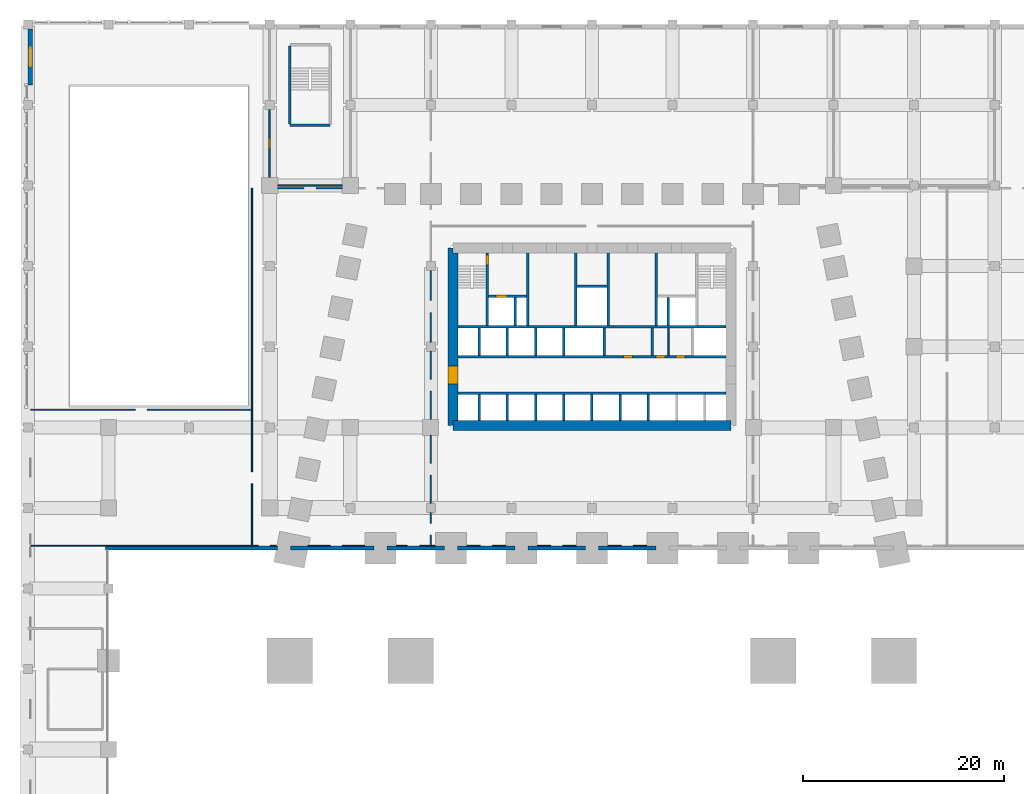
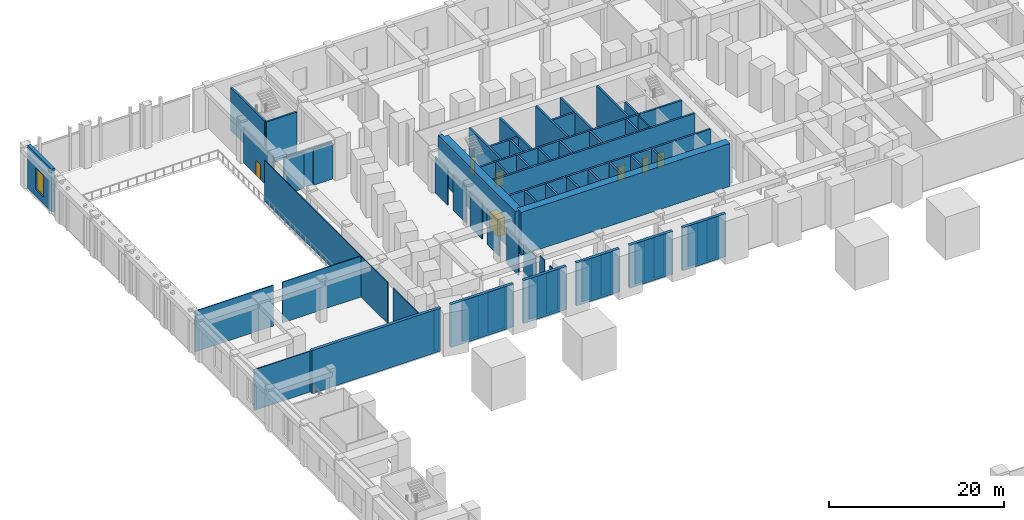
# One storey, part 10 of 25: 65 walls, 7 doors, 1 window, 8 openings.
"""IFC4 building model written with IfcOpenShell, lengths in metres."""

from ifc_helpers import new_model, si_unit, direction, frame, frame_2d, origin, place, context, subcontext, project, spatial, polyline, rectangle, outline, extrude, material, layer, layer_set, type_object, element, fill, save


model = new_model("IFC4")

# Units and contexts
model_context = context("Model", 3, precision=1e-05, world=origin(), true_north=direction((0.0, 1.0)))
body_context = subcontext(model_context, "Body", "Model", "MODEL_VIEW")
ifc_project = project(units=[si_unit("LENGTHUNIT", "METRE"), si_unit("AREAUNIT", "SQUARE_METRE"), si_unit("VOLUMEUNIT", "CUBIC_METRE"), si_unit("PLANEANGLEUNIT", "RADIAN"), si_unit("MASSUNIT", "GRAM", prefix="KILO")], contexts=[model_context])

# Site, building, storey
site_placement = place(None, origin())
site = spatial("IfcSite", under=ifc_project, at=site_placement, CompositionType="ELEMENT")
building_placement = place(site_placement, origin())
building = spatial("IfcBuilding", under=site, at=building_placement, Name="Isbrekke Arena Tower", CompositionType="ELEMENT")
storey_placement = place(building_placement, frame((0.0, 0.0, 6.0)))
storey = spatial("IfcBuildingStorey", under=building, at=storey_placement, Name="L01", CompositionType="ELEMENT", Elevation=6.0)

# Walls
ifc_material_1 = material(Name="Concrete B45 (C45/55)", Category="concrete")
ifc_layer_1 = layer(ifc_material_1, 0.39990234375)
ifc_layer_set_1 = layer_set([ifc_layer_1], Name="AW1 ARENA WALL 400")
wall_type_1 = type_object("IfcWallType", Name="AW1 ARENA WALL 400", PredefinedType="SHEAR", material=ifc_layer_set_1)
wall_1_placement = place(storey_placement, frame((-48.300048828125, -6.0, 0.0), z_axis=(0.0, 0.0, 1.0), x_axis=(1.0, 0.0, 0.0)))
element("IfcWall", 1, at=wall_1_placement, inside=storey, type_object=wall_type_1, Name="Arena north wall 1", PredefinedType="SHEAR", context=body_context, shape_type="SweptSolid", body=[
    extrude(rectangle(XDim=17.050048828125, YDim=0.39990234375, at=frame_2d((8.52490234375, 0.0))), origin(), (0.0, 0.0, 1.0), 6.0),
])
wall_2_placement = place(storey_placement, frame((-29.949951171875, -6.0, 0.0), z_axis=(0.0, 0.0, 1.0), x_axis=(1.0, 0.0, 0.0)))
element("IfcWall", 2, at=wall_2_placement, inside=storey, type_object=wall_type_1, Name="Arena north wall 2", PredefinedType="SHEAR", context=body_context, shape_type="SweptSolid", body=[
    extrude(rectangle(XDim=8.300048828125, YDim=0.39990234375, at=frame_2d((4.14990234375, 0.0))), origin(), (0.0, 0.0, 1.0), 6.0),
])
for number, where, z_axis, x_axis, name in (
    (3, (-20.35009765625, -6.0, 0.0), (0.0, 0.0, 1.0), (1.0, 0.0, 0.0), "Arena north wall 3"),
    (4, (-13.35009765625, -6.0, 0.0), (0.0, 0.0, 1.0), (1.0, 0.0, 0.0), "Arena north wall 4"),
    (5, (-6.35009765625, -6.0, 0.0), (0.0, 0.0, 1.0), (1.0, 0.0, 0.0), "Arena north wall 5"),
    (6, (0.64990234375, -6.0, 0.0), (0.0, 0.0, 1.0), (1.0, 0.0, 0.0), "Arena north wall 6"),
):
    element("IfcWall", number, at=place(storey_placement, frame(where, z_axis=z_axis, x_axis=x_axis)), inside=storey, type_object=wall_type_1, Name=name, PredefinedType="SHEAR", context=body_context, shape_type="SweptSolid", body=[
        extrude(rectangle(XDim=5.7001953125, YDim=0.39990234375, at=frame_2d((2.85009765625, 0.0))), origin(), (0.0, 0.0, 1.0), 6.0),
    ])
ifc_material_2 = material(Name="Concrete B65 (C65/80)", Category="concrete")
ifc_layer_2 = layer(ifc_material_2, 1.0)
ifc_layer_set_2 = layer_set([ifc_layer_2], Name="CW1 CORE WALL 1000")
wall_type_2 = type_object("IfcWallType", Name="CW1 CORE WALL 1000", PredefinedType="SHEAR", material=ifc_layer_set_2)
wall_3_placement = place(storey_placement, frame((-13.800048828125, 6.199951171875, 0.0), z_axis=(0.0, 0.0, 1.0), x_axis=(1.0, 0.0, 0.0)))
element("IfcWall", 7, at=wall_3_placement, inside=storey, type_object=wall_type_2, Name="Core wall S L01", PredefinedType="SHEAR", context=body_context, shape_type="SweptSolid", body=[
    extrude(rectangle(XDim=27.60009765625, YDim=1.0, at=frame_2d((13.800048828125, 0.0))), origin(), (0.0, 0.0, 1.0), 6.0),
])

# Wall, opening, door
wall_4_placement = place(storey_placement, frame((-13.800048828125, 23.800048828125, 0.0), z_axis=(0.0, 0.0, 1.0), x_axis=(0.0, -1.0, 0.0)))
wall_4 = element("IfcWall", 8, at=wall_4_placement, inside=storey, type_object=wall_type_2, Name="Core wall W L01", PredefinedType="SHEAR", context=body_context, shape_type="SweptSolid", body=[
    extrude(outline(polyline([(0.0, -0.5), (17.60009765625, -0.5), (17.60009765625, 0.0), (17.10009765625, 0.0), (17.10009765625, 0.5), (0.5, 0.5), (0.5, 0.0), (0.0, 0.0), (0.0, -0.5)])), origin(), (0.0, 0.0, 1.0), 6.0),
])
opening_1_placement = place(wall_4_placement, frame((11.699951171875, 0.0, 0.0)))
opening_1 = element("IfcOpeningElement", 9, at=opening_1_placement, cuts=wall_4, Name="Opening D1", PredefinedType="OPENING", context=body_context, shape_type="SweptSolid", body=[
    extrude(rectangle(XDim=1.800048828125, YDim=2.39990234375, at=frame_2d((0.89990234375, 1.199951171875))), frame((0.0, 0.514892578125, 0.0), z_axis=(0.0, -1.0, 0.0), x_axis=(1.0, 0.0, 0.0)), (0.0, 0.0, 1.0), 1.02978515625),
])
ifc_material_3 = material(Name="Steel-framed glazed fire door", Category="steel")
door_type_1 = type_object("IfcDoorType", Name="D1 CORE LOBBY DOOR 1800 x 2400", OperationType="DOUBLE_DOOR_SINGLE_SWING", PredefinedType="DOOR", material=ifc_material_3)
door_1_placement = place(opening_1_placement, origin())
door_1 = element("IfcDoor", 10, at=door_1_placement, inside=storey, type_object=door_type_1, Name="D1 lift lobby door west L01", OperationType="DOUBLE_DOOR_SINGLE_SWING", OverallHeight=2.39990234375, OverallWidth=1.800048828125, PredefinedType="DOOR", context=body_context, shape_type="SweptSolid", body=[
    extrude(rectangle(XDim=1.800048828125, YDim=2.39990234375, at=frame_2d((0.89990234375, 1.199951171875))), frame((0.0, 0.499755859375, 0.0), z_axis=(0.0, -1.0, 0.0), x_axis=(1.0, 0.0, 0.0)), (0.0, 0.0, 1.0), 0.99951171875),
])
fill(opening_1, door_1)

# Wall
ifc_material_4 = material(Name="Concrete B45 (C45/55)", Category="concrete")
ifc_layer_3 = layer(ifc_material_4, 0.25)
ifc_layer_set_3 = layer_set([ifc_layer_3], Name="CW6 SHAFT WALL 250")
wall_type_3 = type_object("IfcWallType", Name="CW6 SHAFT WALL 250", PredefinedType="SHEAR", material=ifc_layer_set_3)
wall_5_placement = place(storey_placement, frame((-13.300048828125, 9.39990234375, 0.0), z_axis=(0.0, 0.0, 1.0), x_axis=(1.0, 0.0, 0.0)))
element("IfcWall", 11, at=wall_5_placement, inside=storey, type_object=wall_type_3, Name="Core wall LS L01", PredefinedType="SHEAR", context=body_context, shape_type="SweptSolid", body=[
    extrude(rectangle(XDim=26.60009765625, YDim=0.25, at=frame_2d((13.300048828125, 0.0))), origin(), (0.0, 0.0, 1.0), 6.0),
])

# Wall, openings, doors
wall_6_placement = place(storey_placement, frame((-13.300048828125, 13.0, 0.0), z_axis=(0.0, 0.0, 1.0), x_axis=(1.0, 0.0, 0.0)))
wall_6 = element("IfcWall", 12, at=wall_6_placement, inside=storey, type_object=wall_type_3, Name="Core wall LN L01", PredefinedType="SHEAR", context=body_context, shape_type="SweptSolid", body=[
    extrude(rectangle(XDim=26.60009765625, YDim=0.25, at=frame_2d((13.300048828125, 0.0))), origin(), (0.0, 0.0, 1.0), 6.0),
])
opening_2_placement = place(wall_6_placement, frame((16.449951171875, 0.0, 0.0)))
opening_2 = element("IfcOpeningElement", 13, at=opening_2_placement, cuts=wall_6, Name="Opening D5", PredefinedType="OPENING", context=body_context, shape_type="SweptSolid", body=[
    extrude(rectangle(XDim=0.89990234375, YDim=2.10009765625, at=frame_2d((0.449951171875, 1.050048828125))), frame((0.0, 0.139892578125, 0.0), z_axis=(0.0, -1.0, 0.0), x_axis=(1.0, 0.0, 0.0)), (0.0, 0.0, 1.0), 0.27978515625),
])
opening_3_placement = place(wall_6_placement, frame((19.64990234375, 0.0, 0.0)))
opening_3 = element("IfcOpeningElement", 14, at=opening_3_placement, cuts=wall_6, Name="Opening D5", PredefinedType="OPENING", context=body_context, shape_type="SweptSolid", body=[
    extrude(rectangle(XDim=0.89990234375, YDim=2.10009765625, at=frame_2d((0.449951171875, 1.050048828125))), frame((0.0, 0.139892578125, 0.0), z_axis=(0.0, -1.0, 0.0), x_axis=(1.0, 0.0, 0.0)), (0.0, 0.0, 1.0), 0.27978515625),
])
opening_4_placement = place(wall_6_placement, frame((21.64990234375, 0.0, 0.0)))
opening_4 = element("IfcOpeningElement", 15, at=opening_4_placement, cuts=wall_6, Name="Opening D5", PredefinedType="OPENING", context=body_context, shape_type="SweptSolid", body=[
    extrude(rectangle(XDim=0.89990234375, YDim=2.10009765625, at=frame_2d((0.449951171875, 1.050048828125))), frame((0.0, 0.139892578125, 0.0), z_axis=(0.0, -1.0, 0.0), x_axis=(1.0, 0.0, 0.0)), (0.0, 0.0, 1.0), 0.27978515625),
])
ifc_material_5 = material(Name="Steel fire door", Category="steel")
door_type_2 = type_object("IfcDoorType", Name="D5 SERVICE DOOR 900 x 2100", OperationType="SINGLE_SWING_LEFT", PredefinedType="DOOR", material=ifc_material_5)
door_2_placement = place(opening_2_placement, origin())
door_2 = element("IfcDoor", 16, at=door_2_placement, inside=storey, type_object=door_type_2, Name="D5 store door L01", OperationType="SINGLE_SWING_LEFT", OverallHeight=2.10009765625, OverallWidth=0.89990234375, PredefinedType="DOOR", context=body_context, shape_type="SweptSolid", body=[
    extrude(rectangle(XDim=0.89990234375, YDim=2.10009765625, at=frame_2d((0.449951171875, 1.050048828125))), frame((0.0, 0.124755859375, 0.0), z_axis=(0.0, -1.0, 0.0), x_axis=(1.0, 0.0, 0.0)), (0.0, 0.0, 1.0), 0.24951171875),
])
fill(opening_2, door_2)
door_3_placement = place(opening_3_placement, origin())
door_3 = element("IfcDoor", 17, at=door_3_placement, inside=storey, type_object=door_type_2, Name="D5 cleaner's store door L01", OperationType="SINGLE_SWING_LEFT", OverallHeight=2.10009765625, OverallWidth=0.89990234375, PredefinedType="DOOR", context=body_context, shape_type="SweptSolid", body=[
    extrude(rectangle(XDim=0.89990234375, YDim=2.10009765625, at=frame_2d((0.449951171875, 1.050048828125))), frame((0.0, 0.124755859375, 0.0), z_axis=(0.0, -1.0, 0.0), x_axis=(1.0, 0.0, 0.0)), (0.0, 0.0, 1.0), 0.24951171875),
])
fill(opening_3, door_3)
door_4_placement = place(opening_4_placement, origin())
door_4 = element("IfcDoor", 18, at=door_4_placement, inside=storey, type_object=door_type_2, Name="D5 communications room door L01", OperationType="SINGLE_SWING_LEFT", OverallHeight=2.10009765625, OverallWidth=0.89990234375, PredefinedType="DOOR", context=body_context, shape_type="SweptSolid", body=[
    extrude(rectangle(XDim=0.89990234375, YDim=2.10009765625, at=frame_2d((0.449951171875, 1.050048828125))), frame((0.0, 0.124755859375, 0.0), z_axis=(0.0, -1.0, 0.0), x_axis=(1.0, 0.0, 0.0)), (0.0, 0.0, 1.0), 0.24951171875),
])
fill(opening_4, door_4)

# Walls
wall_7_placement = place(storey_placement, frame((-13.300048828125, 16.0, 0.0), z_axis=(0.0, 0.0, 1.0), x_axis=(1.0, 0.0, 0.0)))
element("IfcWall", 19, at=wall_7_placement, inside=storey, type_object=wall_type_3, Name="Core wall NB L01", PredefinedType="SHEAR", context=body_context, shape_type="SweptSolid", body=[
    extrude(rectangle(XDim=26.60009765625, YDim=0.25, at=frame_2d((13.300048828125, 0.0))), origin(), (0.0, 0.0, 1.0), 6.0),
])
for number, where, z_axis, x_axis, name in (
    (20, (-11.199951171875, 6.699951171875, 0.0), (0.0, 0.0, 1.0), (0.0, 1.0, 0.0), "Core wall SS01 L01"),
    (21, (-8.39990234375, 6.699951171875, 0.0), (0.0, 0.0, 1.0), (0.0, 1.0, 0.0), "Core wall SS02 L01"),
    (22, (-5.60009765625, 6.699951171875, 0.0), (0.0, 0.0, 1.0), (0.0, 1.0, 0.0), "Core wall SS03 L01"),
    (23, (-2.800048828125, 6.699951171875, 0.0), (0.0, 0.0, 1.0), (0.0, 1.0, 0.0), "Core wall SS04 L01"),
    (24, (0.0, 6.699951171875, 0.0), (0.0, 0.0, 1.0), (0.0, 1.0, 0.0), "Core wall SS05 L01"),
    (25, (2.800048828125, 6.699951171875, 0.0), (0.0, 0.0, 1.0), (0.0, 1.0, 0.0), "Core wall SS06 L01"),
    (26, (5.60009765625, 6.699951171875, 0.0), (0.0, 0.0, 1.0), (0.0, 1.0, 0.0), "Core wall SS07 L01"),
):
    element("IfcWall", number, at=place(storey_placement, frame(where, z_axis=z_axis, x_axis=x_axis)), inside=storey, type_object=wall_type_3, Name=name, PredefinedType="SHEAR", context=body_context, shape_type="SweptSolid", body=[
        extrude(rectangle(XDim=2.574951171875, YDim=0.25, at=frame_2d((1.28759765625, 0.0))), origin(), (0.0, 0.0, 1.0), 6.0),
    ])
for number, where, z_axis, x_axis, name in (
    (27, (-11.199951171875, 13.125, 0.0), (0.0, 0.0, 1.0), (0.0, 1.0, 0.0), "Core wall SN01 L01"),
    (28, (-8.39990234375, 13.125, 0.0), (0.0, 0.0, 1.0), (0.0, 1.0, 0.0), "Core wall SN02 L01"),
    (29, (-5.60009765625, 13.125, 0.0), (0.0, 0.0, 1.0), (0.0, 1.0, 0.0), "Core wall SN03 L01"),
    (30, (-2.800048828125, 13.125, 0.0), (0.0, 0.0, 1.0), (0.0, 1.0, 0.0), "Core wall SN04 L01"),
    (31, (1.199951171875, 13.125, 0.0), (0.0, 0.0, 1.0), (0.0, 1.0, 0.0), "Core wall SN05 L01"),
    (32, (6.0, 13.125, 0.0), (0.0, 0.0, 1.0), (0.0, 1.0, 0.0), "Core wall SN06 L01"),
):
    element("IfcWall", number, at=place(storey_placement, frame(where, z_axis=z_axis, x_axis=x_axis)), inside=storey, type_object=wall_type_3, Name=name, PredefinedType="SHEAR", context=body_context, shape_type="SweptSolid", body=[
        extrude(rectangle(XDim=2.75, YDim=0.25, at=frame_2d((1.375, 0.0))), origin(), (0.0, 0.0, 1.0), 6.0),
    ])

# Wall, opening, door
wall_8_placement = place(storey_placement, frame((-10.39990234375, 16.125, 0.0), z_axis=(0.0, 0.0, 1.0), x_axis=(0.0, 1.0, 0.0)))
wall_8 = element("IfcWall", 33, at=wall_8_placement, inside=storey, type_object=wall_type_3, Name="Core wall NV01 L01", PredefinedType="SHEAR", context=body_context, shape_type="SweptSolid", body=[
    extrude(rectangle(XDim=7.175048828125, YDim=0.25, at=frame_2d((3.58740234375, 0.0))), origin(), (0.0, 0.0, 1.0), 6.0),
])
opening_5_placement = place(wall_8_placement, frame((5.97509765625, 0.0, 0.0)))
opening_5 = element("IfcOpeningElement", 34, at=opening_5_placement, cuts=wall_8, Name="Opening D2", PredefinedType="OPENING", context=body_context, shape_type="SweptSolid", body=[
    extrude(rectangle(XDim=1.0, YDim=2.10009765625, at=frame_2d((0.5, 1.050048828125))), frame((0.0, 0.139892578125, 0.0), z_axis=(0.0, -1.0, 0.0), x_axis=(1.0, 0.0, 0.0)), (0.0, 0.0, 1.0), 0.27978515625),
])
ifc_material_6 = material(Name="Steel fire door", Category="steel")
door_type_3 = type_object("IfcDoorType", Name="D2 STAIR DOOR 1000 x 2100", OperationType="SINGLE_SWING_LEFT", PredefinedType="DOOR", material=ifc_material_6)
door_5_placement = place(opening_5_placement, origin())
door_5 = element("IfcDoor", 35, at=door_5_placement, inside=storey, type_object=door_type_3, Name="D2 stair door ST1 L01", OperationType="SINGLE_SWING_LEFT", OverallHeight=2.10009765625, OverallWidth=1.0, PredefinedType="DOOR", context=body_context, shape_type="SweptSolid", body=[
    extrude(rectangle(XDim=1.0, YDim=2.10009765625, at=frame_2d((0.5, 1.050048828125))), frame((0.0, 0.124755859375, 0.0), z_axis=(0.0, -1.0, 0.0), x_axis=(1.0, 0.0, 0.0)), (0.0, 0.0, 1.0), 0.24951171875),
])
fill(opening_5, door_5)

# Walls
for number, where, z_axis, x_axis, name in (
    (36, (-6.39990234375, 16.125, 0.0), (0.0, 0.0, 1.0), (0.0, 1.0, 0.0), "Core wall NV02 L01"),
    (37, (-1.60009765625, 16.125, 0.0), (0.0, 0.0, 1.0), (0.0, 1.0, 0.0), "Core wall NV03 L01"),
    (38, (1.60009765625, 16.125, 0.0), (0.0, 0.0, 1.0), (0.0, 1.0, 0.0), "Core wall NV04 L01"),
    (39, (6.39990234375, 16.125, 0.0), (0.0, 0.0, 1.0), (0.0, 1.0, 0.0), "Core wall NV05 L01"),
):
    element("IfcWall", number, at=place(storey_placement, frame(where, z_axis=z_axis, x_axis=x_axis)), inside=storey, type_object=wall_type_3, Name=name, PredefinedType="SHEAR", context=body_context, shape_type="SweptSolid", body=[
        extrude(rectangle(XDim=7.175048828125, YDim=0.25, at=frame_2d((3.58740234375, 0.0))), origin(), (0.0, 0.0, 1.0), 6.0),
    ])

# Wall, opening, door
wall_9_placement = place(storey_placement, frame((-10.27490234375, 19.0, 0.0), z_axis=(0.0, 0.0, 1.0), x_axis=(1.0, 0.0, 0.0)))
wall_9 = element("IfcWall", 40, at=wall_9_placement, inside=storey, type_object=wall_type_3, Name="Core wall NFW L01", PredefinedType="SHEAR", context=body_context, shape_type="SweptSolid", body=[
    extrude(rectangle(XDim=3.75, YDim=0.25, at=frame_2d((1.875, 0.0))), origin(), (0.0, 0.0, 1.0), 6.0),
])
opening_6_placement = place(wall_9_placement, frame((0.72509765625, 0.0, 0.0)))
opening_6 = element("IfcOpeningElement", 41, at=opening_6_placement, cuts=wall_9, Name="Opening LD2", PredefinedType="OPENING", context=body_context, shape_type="SweptSolid", body=[
    extrude(rectangle(XDim=1.10009765625, YDim=2.10009765625, at=frame_2d((0.550048828125, 1.050048828125))), frame((0.0, 0.139892578125, 0.0), z_axis=(0.0, -1.0, 0.0), x_axis=(1.0, 0.0, 0.0)), (0.0, 0.0, 1.0), 0.27978515625),
])
ifc_material_7 = material(Name="Stainless steel lift landing door", Category="steel")
door_type_4 = type_object("IfcDoorType", Name="LD2 FIRE-FIGHTING LIFT LANDING DOOR 1100 x 2100", OperationType="SLIDING_TO_RIGHT", PredefinedType="DOOR", material=ifc_material_7)
door_6_placement = place(opening_6_placement, origin())
door_6 = element("IfcDoor", 42, at=door_6_placement, inside=storey, type_object=door_type_4, Name="LD2 lift landing door LF L01", OperationType="SLIDING_TO_RIGHT", OverallHeight=2.10009765625, OverallWidth=1.10009765625, PredefinedType="DOOR", context=body_context, shape_type="SweptSolid", body=[
    extrude(rectangle(XDim=1.10009765625, YDim=2.10009765625, at=frame_2d((0.550048828125, 1.050048828125))), frame((0.0, 0.124755859375, 0.0), z_axis=(0.0, -1.0, 0.0), x_axis=(1.0, 0.0, 0.0)), (0.0, 0.0, 1.0), 0.24951171875),
])
fill(opening_6, door_6)

# Walls
for number, where, z_axis, x_axis, name in (
    (43, (-7.60009765625, 16.125, 0.0), (0.0, 0.0, 1.0), (0.0, 1.0, 0.0), "Core wall NFS1 L01"),
    (44, (7.60009765625, 16.125, 0.0), (0.0, 0.0, 1.0), (0.0, 1.0, 0.0), "Core wall NFS2 L01"),
):
    element("IfcWall", number, at=place(storey_placement, frame(where, z_axis=z_axis, x_axis=x_axis)), inside=storey, type_object=wall_type_3, Name=name, PredefinedType="SHEAR", context=body_context, shape_type="SweptSolid", body=[
        extrude(rectangle(XDim=2.75, YDim=0.25, at=frame_2d((1.375, 0.0))), origin(), (0.0, 0.0, 1.0), 6.0),
    ])
wall_10_placement = place(storey_placement, frame((-1.47509765625, 20.0, 0.0), z_axis=(0.0, 0.0, 1.0), x_axis=(1.0, 0.0, 0.0)))
element("IfcWall", 45, at=wall_10_placement, inside=storey, type_object=wall_type_3, Name="Core wall NWC L01", PredefinedType="SHEAR", context=body_context, shape_type="SweptSolid", body=[
    extrude(rectangle(XDim=2.9501953125, YDim=0.25, at=frame_2d((1.47509765625, 0.0))), origin(), (0.0, 0.0, 1.0), 6.0),
])

# Wall, opening, window
ifc_material_8 = material(Name="Pale brick facing on concrete backing wall", Category="masonry")
ifc_layer_4 = layer(ifc_material_8, 0.449951171875)
ifc_layer_set_4 = layer_set([ifc_layer_4], Name="EW1 PODIUM BRICK WALL 450")
wall_type_4 = type_object("IfcWallType", Name="EW1 PODIUM BRICK WALL 450", PredefinedType="SOLIDWALL", material=ifc_layer_set_4)
wall_11_placement = place(storey_placement, frame((-55.77490234375, 45.550048828125, 0.0), z_axis=(0.0, 0.0, 1.0), x_axis=(0.0, -1.0, 0.0)))
wall_11 = element("IfcWall", 46, at=wall_11_placement, inside=storey, type_object=wall_type_4, Name="EW1 podium wall W2 L01", PredefinedType="SOLIDWALL", context=body_context, shape_type="SweptSolid", body=[
    extrude(rectangle(XDim=5.550048828125, YDim=0.449951171875, at=frame_2d((2.77490234375, 0.0))), origin(), (0.0, 0.0, 1.0), 6.0),
])
opening_7_placement = place(wall_11_placement, frame((1.875, 0.0, 1.0)))
opening_7 = element("IfcOpeningElement", 47, at=opening_7_placement, cuts=wall_11, Name="Opening WN2", PredefinedType="OPENING", context=body_context, shape_type="SweptSolid", body=[
    extrude(rectangle(XDim=1.800048828125, YDim=3.0, at=frame_2d((0.89990234375, 1.5))), frame((0.0, 0.23974609375, 0.0), z_axis=(0.0, -1.0, 0.0), x_axis=(1.0, 0.0, 0.0)), (0.0, 0.0, 1.0), 0.479736328125),
])
ifc_material_9 = material(Name="Timber-aluminium window, triple glazed", Category="wood")
window_type = type_object("IfcWindowType", Name="WN2 PODIUM WINDOW 1800 x 3000", PartitioningType="SINGLE_PANEL", PredefinedType="WINDOW", material=ifc_material_9)
window_placement = place(opening_7_placement, origin())
window = element("IfcWindow", 48, at=window_placement, inside=storey, type_object=window_type, Name="WN2 podium window W2-1", OverallHeight=3.0, OverallWidth=1.800048828125, PartitioningType="SINGLE_PANEL", PredefinedType="WINDOW", context=body_context, shape_type="SweptSolid", body=[
    extrude(rectangle(XDim=1.800048828125, YDim=3.0, at=frame_2d((0.89990234375, 1.5))), frame((0.0, 0.030029296875, 0.0), z_axis=(0.0, -1.0, 0.0), x_axis=(1.0, 0.0, 0.0)), (0.0, 0.0, 1.0), 0.06005859375),
])
fill(opening_7, window)

# Wall, opening, door
ifc_material_10 = material(Name="Gypsum board partition on steel studs", Category="steel")
ifc_layer_5 = layer(ifc_material_10, 0.14990234375)
ifc_layer_set_5 = layer_set([ifc_layer_5], Name="IW1 PARTITION 150")
wall_type_5 = type_object("IfcWallType", Name="IW1 PARTITION 150", PredefinedType="PARTITIONING", material=ifc_layer_set_5)
wall_12_placement = place(storey_placement, frame((-32.0, 30.81005859375, 0.0), z_axis=(0.0, 0.0, 1.0), x_axis=(0.0, 1.0, 0.0)))
wall_12 = element("IfcWall", 49, at=wall_12_placement, inside=storey, type_object=wall_type_5, Name="IW1 partition L01", PredefinedType="PARTITIONING", context=body_context, shape_type="SweptSolid", body=[
    extrude(rectangle(XDim=6.72998046875, YDim=0.14990234375, at=frame_2d((3.364990234375, 0.0))), origin(), (0.0, 0.0, 1.0), 5.050048828125),
])
opening_8_placement = place(wall_12_placement, frame((2.864990234375, 0.0, 0.0)))
opening_8 = element("IfcOpeningElement", 50, at=opening_8_placement, cuts=wall_12, Name="Opening D6", PredefinedType="OPENING", context=body_context, shape_type="SweptSolid", body=[
    extrude(rectangle(XDim=1.0, YDim=2.10009765625, at=frame_2d((0.5, 1.050048828125))), frame((0.0, 0.08984375, 0.0), z_axis=(0.0, -1.0, 0.0), x_axis=(1.0, 0.0, 0.0)), (0.0, 0.0, 1.0), 0.1796875),
])
ifc_material_11 = material(Name="Timber door", Category="wood")
door_type_5 = type_object("IfcDoorType", Name="D6 ROOM DOOR 1000 x 2100", OperationType="SINGLE_SWING_LEFT", PredefinedType="DOOR", material=ifc_material_11)
door_7_placement = place(opening_8_placement, origin())
door_7 = element("IfcDoor", 51, at=door_7_placement, inside=storey, type_object=door_type_5, Name="D6 door L01-11", OperationType="SINGLE_SWING_LEFT", OverallHeight=2.10009765625, OverallWidth=1.0, PredefinedType="DOOR", context=body_context, shape_type="SweptSolid", body=[
    extrude(rectangle(XDim=1.0, YDim=2.10009765625, at=frame_2d((0.5, 1.050048828125))), frame((0.0, 0.07470703125, 0.0), z_axis=(0.0, -1.0, 0.0), x_axis=(1.0, 0.0, 0.0)), (0.0, 0.0, 1.0), 0.1494140625),
])
fill(opening_8, door_7)

# Walls
wall_13_placement = place(storey_placement, frame((-31.18994140625, 30.0, 0.0), z_axis=(0.0, 0.0, 1.0), x_axis=(1.0, 0.0, 0.0)))
element("IfcWall", 52, at=wall_13_placement, inside=storey, type_object=wall_type_5, Name="IW1 partition L01", PredefinedType="PARTITIONING", context=body_context, shape_type="SweptSolid", body=[
    extrude(rectangle(XDim=6.3798828125, YDim=0.14990234375, at=frame_2d((3.18994140625, 0.0))), origin(), (0.0, 0.0, 1.0), 5.050048828125),
])
ifc_material_12 = material(Name="Frameless glazed partition, laminated acoustic glass", Category="glass")
ifc_layer_6 = layer(ifc_material_12, 0.1201171875)
ifc_layer_set_6 = layer_set([ifc_layer_6], Name="IW2 GLAZED PARTITION 120")
wall_type_6 = type_object("IfcWallType", Name="IW2 GLAZED PARTITION 120", PredefinedType="PARTITIONING", material=ifc_layer_set_6)
wall_14_placement = place(storey_placement, frame((-33.75, -5.75, 0.0), z_axis=(0.0, 0.0, 1.0), x_axis=(0.0, 1.0, 0.0)))
element("IfcWall", 53, at=wall_14_placement, inside=storey, type_object=wall_type_6, Name="IW2 glazed partition L01", PredefinedType="PARTITIONING", context=body_context, shape_type="SweptSolid", body=[
    extrude(rectangle(XDim=6.14990234375, YDim=0.1201171875, at=frame_2d((3.074951171875, 0.0))), origin(), (0.0, 0.0, 1.0), 5.699951171875),
])
wall_15_placement = place(storey_placement, frame((-33.75, 1.60009765625, 0.0), z_axis=(0.0, 0.0, 1.0), x_axis=(0.0, 1.0, 0.0)))
element("IfcWall", 54, at=wall_15_placement, inside=storey, type_object=wall_type_6, Name="IW2 glazed partition L01", PredefinedType="PARTITIONING", context=body_context, shape_type="SweptSolid", body=[
    extrude(rectangle(XDim=28.14990234375, YDim=0.1201171875, at=frame_2d((14.074951171875, 0.0))), origin(), (0.0, 0.0, 1.0), 5.699951171875),
])
for number, where, z_axis, x_axis, name in (
    (55, (-16.0, -5.75, 0.0), (0.0, 0.0, 1.0), (0.0, 1.0, 0.0), "IW2 glazed partition L01"),
    (56, (-16.0, -3.5048828125, 0.0), (0.0, 0.0, 1.0), (0.0, 1.0, 0.0), "IW2 glazed partition L01"),
):
    element("IfcWall", number, at=place(storey_placement, frame(where, z_axis=z_axis, x_axis=x_axis)), inside=storey, type_object=wall_type_6, Name=name, PredefinedType="PARTITIONING", context=body_context, shape_type="SweptSolid", body=[
        extrude(rectangle(XDim=1.044921875, YDim=0.1201171875, at=frame_2d((0.5224609375, 0.0))), origin(), (0.0, 0.0, 1.0), 5.699951171875),
    ])
wall_16_placement = place(storey_placement, frame((-16.0, -1.5400390625, 0.0), z_axis=(0.0, 0.0, 1.0), x_axis=(0.0, 1.0, 0.0)))
element("IfcWall", 57, at=wall_16_placement, inside=storey, type_object=wall_type_6, Name="IW2 glazed partition L01", PredefinedType="PARTITIONING", context=body_context, shape_type="SweptSolid", body=[
    extrude(rectangle(XDim=2.76513671875, YDim=0.1201171875, at=frame_2d((1.382568359375, 0.0))), origin(), (0.0, 0.0, 1.0), 5.050048828125),
])
for number, where, z_axis, x_axis, name in (
    (58, (-16.0, 2.425048828125, 0.0), (0.0, 0.0, 1.0), (0.0, 1.0, 0.0), "IW2 glazed partition L01"),
    (59, (-16.0, 6.81005859375, 0.0), (0.0, 0.0, 1.0), (0.0, 1.0, 0.0), "IW2 glazed partition L01"),
):
    element("IfcWall", number, at=place(storey_placement, frame(where, z_axis=z_axis, x_axis=x_axis)), inside=storey, type_object=wall_type_6, Name=name, PredefinedType="PARTITIONING", context=body_context, shape_type="SweptSolid", body=[
        extrude(rectangle(XDim=2.764892578125, YDim=0.1201171875, at=frame_2d((1.38232421875, 0.0))), origin(), (0.0, 0.0, 1.0), 5.050048828125),
    ])
wall_17_placement = place(storey_placement, frame((-16.0, 10.77490234375, 0.0), z_axis=(0.0, 0.0, 1.0), x_axis=(0.0, 1.0, 0.0)))
element("IfcWall", 60, at=wall_17_placement, inside=storey, type_object=wall_type_6, Name="IW2 glazed partition L01", PredefinedType="PARTITIONING", context=body_context, shape_type="SweptSolid", body=[
    extrude(rectangle(XDim=2.76513671875, YDim=0.1201171875, at=frame_2d((1.382568359375, 0.0))), origin(), (0.0, 0.0, 1.0), 5.050048828125),
])
for number, where, z_axis, x_axis, name in (
    (61, (-16.0, 14.4599609375, 0.0), (0.0, 0.0, 1.0), (0.0, 1.0, 0.0), "IW2 glazed partition L01"),
    (62, (-16.0, 18.60009765625, 0.0), (0.0, 0.0, 1.0), (0.0, 1.0, 0.0), "IW2 glazed partition L01"),
):
    element("IfcWall", number, at=place(storey_placement, frame(where, z_axis=z_axis, x_axis=x_axis)), inside=storey, type_object=wall_type_6, Name=name, PredefinedType="PARTITIONING", context=body_context, shape_type="SweptSolid", body=[
        extrude(rectangle(XDim=2.93994140625, YDim=0.1201171875, at=frame_2d((1.469970703125, 0.0))), origin(), (0.0, 0.0, 1.0), 5.050048828125),
    ])
wall_18_placement = place(storey_placement, frame((-55.75, -5.75, 0.0), z_axis=(0.0, 0.0, 1.0), x_axis=(1.0, 0.0, 0.0)))
element("IfcWall", 63, at=wall_18_placement, inside=storey, type_object=wall_type_6, Name="IW2 glazed partition L01", PredefinedType="PARTITIONING", context=body_context, shape_type="SweptSolid", body=[
    extrude(rectangle(XDim=22.599609375, YDim=0.1201171875, at=frame_2d((11.2998046875, 0.0))), origin(), (0.0, 0.0, 1.0), 5.699951171875),
])
wall_19_placement = place(storey_placement, frame((-31.950439453125, -5.75, 0.0), z_axis=(0.0, 0.0, 1.0), x_axis=(1.0, 0.0, 0.0)))
element("IfcWall", 64, at=wall_19_placement, inside=storey, type_object=wall_type_6, Name="IW2 glazed partition L01", PredefinedType="PARTITIONING", context=body_context, shape_type="SweptSolid", body=[
    extrude(rectangle(XDim=0.599365234375, YDim=0.1201171875, at=frame_2d((0.2998046875, 0.0))), origin(), (0.0, 0.0, 1.0), 5.699951171875),
])
for number, where, z_axis, x_axis, name in (
    (65, (-28.23095703125, -5.75, 0.0), (0.0, 0.0, 1.0), (1.0, 0.0, 0.0), "IW2 glazed partition L01"),
    (66, (-24.79541015625, -5.75, 0.0), (0.0, 0.0, 1.0), (1.0, 0.0, 0.0), "IW2 glazed partition L01"),
):
    element("IfcWall", number, at=place(storey_placement, frame(where, z_axis=z_axis, x_axis=x_axis)), inside=storey, type_object=wall_type_6, Name=name, PredefinedType="PARTITIONING", context=body_context, shape_type="SweptSolid", body=[
        extrude(rectangle(XDim=2.2353515625, YDim=0.1201171875, at=frame_2d((1.11767578125, 0.0))), origin(), (0.0, 0.0, 1.0), 5.699951171875),
    ])
wall_20_placement = place(storey_placement, frame((-19.43994140625, -5.75, 0.0), z_axis=(0.0, 0.0, 1.0), x_axis=(1.0, 0.0, 0.0)))
element("IfcWall", 67, at=wall_20_placement, inside=storey, type_object=wall_type_6, Name="IW2 glazed partition L01", PredefinedType="PARTITIONING", context=body_context, shape_type="SweptSolid", body=[
    extrude(rectangle(XDim=1.119873046875, YDim=0.1201171875, at=frame_2d((0.56005859375, 0.0))), origin(), (0.0, 0.0, 1.0), 5.699951171875),
])
wall_21_placement = place(storey_placement, frame((-17.1201171875, -5.75, 0.0), z_axis=(0.0, 0.0, 1.0), x_axis=(1.0, 0.0, 0.0)))
element("IfcWall", 68, at=wall_21_placement, inside=storey, type_object=wall_type_6, Name="IW2 glazed partition L01", PredefinedType="PARTITIONING", context=body_context, shape_type="SweptSolid", body=[
    extrude(rectangle(XDim=1.56005859375, YDim=0.1201171875, at=frame_2d((0.780029296875, 0.0))), origin(), (0.0, 0.0, 1.0), 5.699951171875),
])
for number, where, z_axis, x_axis, name in (
    (69, (-12.43994140625, -5.75, 0.0), (0.0, 0.0, 1.0), (1.0, 0.0, 0.0), "IW2 glazed partition L01"),
    (70, (-9.89990234375, -5.75, 0.0), (0.0, 0.0, 1.0), (1.0, 0.0, 0.0), "IW2 glazed partition L01"),
    (71, (-5.43994140625, -5.75, 0.0), (0.0, 0.0, 1.0), (1.0, 0.0, 0.0), "IW2 glazed partition L01"),
    (72, (-2.89990234375, -5.75, 0.0), (0.0, 0.0, 1.0), (1.0, 0.0, 0.0), "IW2 glazed partition L01"),
    (73, (1.56005859375, -5.75, 0.0), (0.0, 0.0, 1.0), (1.0, 0.0, 0.0), "IW2 glazed partition L01"),
    (74, (4.10009765625, -5.75, 0.0), (0.0, 0.0, 1.0), (1.0, 0.0, 0.0), "IW2 glazed partition L01"),
):
    element("IfcWall", number, at=place(storey_placement, frame(where, z_axis=z_axis, x_axis=x_axis)), inside=storey, type_object=wall_type_6, Name=name, PredefinedType="PARTITIONING", context=body_context, shape_type="SweptSolid", body=[
        extrude(rectangle(XDim=1.33984375, YDim=0.1201171875, at=frame_2d((0.669921875, 0.0))), origin(), (0.0, 0.0, 1.0), 5.699951171875),
    ])
for number, where, z_axis, x_axis, name in (
    (75, (-55.75, 7.75, 0.0), (0.0, 0.0, 1.0), (1.0, 0.0, 0.0), "IW2 glazed partition L01"),
    (76, (-44.14990234375, 7.75, 0.0), (0.0, 0.0, 1.0), (1.0, 0.0, 0.0), "IW2 glazed partition L01"),
):
    element("IfcWall", number, at=place(storey_placement, frame(where, z_axis=z_axis, x_axis=x_axis)), inside=storey, type_object=wall_type_6, Name=name, PredefinedType="PARTITIONING", context=body_context, shape_type="SweptSolid", body=[
        extrude(rectangle(XDim=10.39990234375, YDim=0.1201171875, at=frame_2d((5.199951171875, 0.0))), origin(), (0.0, 0.0, 1.0), 5.699951171875),
    ])
for number, where, z_axis, x_axis, name in (
    (77, (-31.18994140625, 29.75, 0.0), (0.0, 0.0, 1.0), (1.0, 0.0, 0.0), "IW2 glazed partition L01"),
    (78, (-27.39990234375, 29.75, 0.0), (0.0, 0.0, 1.0), (1.0, 0.0, 0.0), "IW2 glazed partition L01"),
):
    element("IfcWall", number, at=place(storey_placement, frame(where, z_axis=z_axis, x_axis=x_axis)), inside=storey, type_object=wall_type_6, Name=name, PredefinedType="PARTITIONING", context=body_context, shape_type="SweptSolid", body=[
        extrude(rectangle(XDim=2.58984375, YDim=0.1201171875, at=frame_2d((1.294921875, 0.0))), origin(), (0.0, 0.0, 1.0), 5.050048828125),
    ])
ifc_material_13 = material(Name="Gypsum board fire-rated partition on steel studs, two layers each side", Category="steel")
ifc_layer_7 = layer(ifc_material_13, 0.14990234375)
ifc_layer_set_7 = layer_set([ifc_layer_7], Name="IW5 FIRE-RATED PARTITION 150")
wall_type_7 = type_object("IfcWallType", Name="IW5 FIRE-RATED PARTITION 150", PredefinedType="PARTITIONING", material=ifc_layer_set_7)
wall_22_placement = place(storey_placement, frame((7.60009765625, 13.125, 0.0), z_axis=(0.0, 0.0, 1.0), x_axis=(0.0, 1.0, 0.0)))
element("IfcWall", 79, at=wall_22_placement, inside=storey, type_object=wall_type_7, Name="IW5 fire-rated partition L01 core service rooms 1", PredefinedType="PARTITIONING", context=body_context, shape_type="SweptSolid", body=[
    extrude(rectangle(XDim=2.75, YDim=0.14990234375, at=frame_2d((1.375, 0.0))), origin(), (0.0, 0.0, 1.0), 5.85009765625),
])
ifc_material_14 = material(Name="Concrete B45 (C45/55)", Category="concrete")
ifc_layer_8 = layer(ifc_material_14, 0.25)
ifc_layer_set_8 = layer_set([ifc_layer_8], Name="SW1 STAIR ENCLOSURE WALL 250")
wall_type_8 = type_object("IfcWallType", Name="SW1 STAIR ENCLOSURE WALL 250", PredefinedType="SOLIDWALL", material=ifc_layer_set_8)
wall_23_placement = place(storey_placement, frame((-30.0, 36.0, 0.0), z_axis=(0.0, 0.0, 1.0), x_axis=(1.0, 0.0, 0.0)))
element("IfcWall", 80, at=wall_23_placement, inside=storey, type_object=wall_type_8, Name="SW1 stair wall P2 S L01", PredefinedType="SOLIDWALL", context=body_context, shape_type="SweptSolid", body=[
    extrude(rectangle(XDim=4.0, YDim=0.25, at=frame_2d((2.0, 0.0))), origin(), (0.0, 0.0, 1.0), 6.0),
])
wall_24_placement = place(storey_placement, frame((-30.0, 43.875, 0.0), z_axis=(0.0, 0.0, 1.0), x_axis=(0.0, -1.0, 0.0)))
element("IfcWall", 81, at=wall_24_placement, inside=storey, type_object=wall_type_8, Name="SW1 stair wall P2 W L01", PredefinedType="SOLIDWALL", context=body_context, shape_type="SweptSolid", body=[
    extrude(rectangle(XDim=7.75, YDim=0.25, at=frame_2d((3.875, 0.0))), origin(), (0.0, 0.0, 1.0), 6.0),
])

save(model, "model.ifc")
